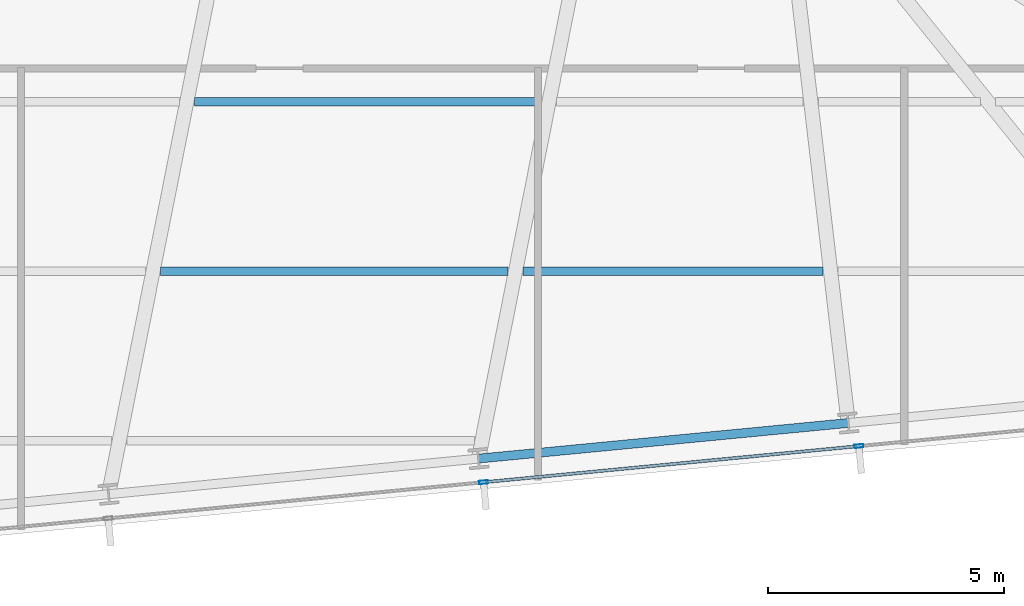
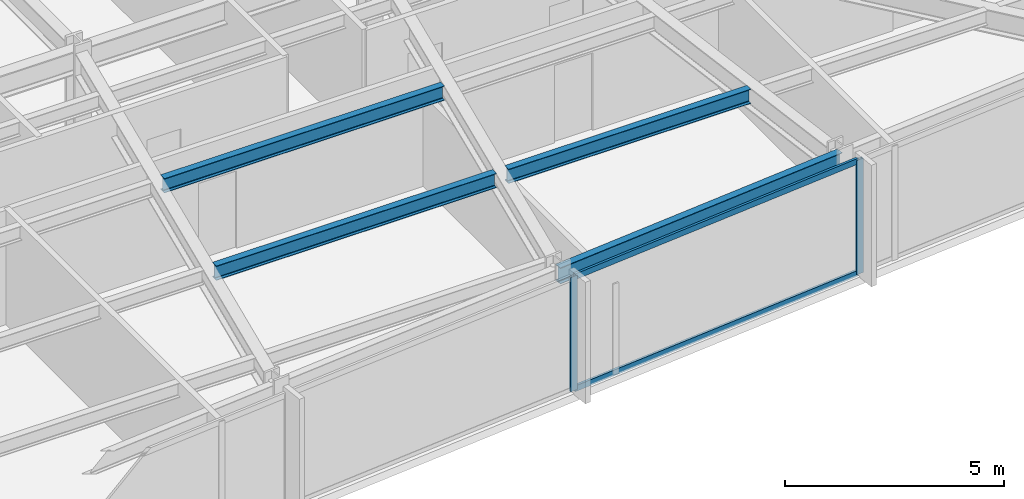
# One storey, part 10 of 33: 4 beams, 4 members, 1 element without a shape of its own.
"""IFC4 building model written with IfcOpenShell, lengths in metres."""

from ifc_helpers import new_model, si_unit, direction, frame, origin, origin_2d, place, context, subcontext, project, spatial, hollow_rectangle, i_section, extrude, material, material_profile, profile_set, type_object, element, aggregate, save


model = new_model("IFC4")

# Units and contexts
model_context = context("Model", 3, precision=1e-05, world=origin(), true_north=direction((0.0, 1.0)))
body_context = subcontext(model_context, "Body", "Model", "MODEL_VIEW")
ifc_project = project(units=[si_unit("LENGTHUNIT", "METRE"), si_unit("AREAUNIT", "SQUARE_METRE"), si_unit("VOLUMEUNIT", "CUBIC_METRE"), si_unit("PLANEANGLEUNIT", "RADIAN"), si_unit("MASSUNIT", "GRAM", prefix="KILO")], contexts=[model_context])

# Site, building, storey
site_placement = place(None, origin())
site = spatial("IfcSite", under=ifc_project, at=site_placement, CompositionType="ELEMENT")
building_placement = place(site_placement, origin())
building = spatial("IfcBuilding", under=site, at=building_placement, Name="Yelkora Congress Tower", CompositionType="ELEMENT")
storey_placement = place(building_placement, frame((0.0, 0.0, 127.10009765625)))
storey = spatial("IfcBuildingStorey", under=building, at=storey_placement, Name="L34", CompositionType="ELEMENT", Elevation=127.10009765625)

# Beams
ifc_material_1 = material(Name="Steel S355J2", Category="steel")
ifc_material_profile_1 = material_profile(ifc_material_1, i_section(OverallWidth=0.179931640625, OverallDepth=0.39990234375, WebThickness=0.008544921875, FlangeThickness=0.013427734375, FilletRadius=0.02099609375, at=origin_2d()), Name="IPE 400")
ifc_profile_set_1 = profile_set([ifc_material_profile_1], Name="Steel S355J2")
beam_type_1 = type_object("IfcBeamType", Name="BM-JOIST-IPE400", PredefinedType="JOIST", material=ifc_profile_set_1)
beam_1_placement = place(storey_placement, frame((44.436767578125, 16.144287109375, 2.97998046875), z_axis=(1.0, 0.0, 0.0), x_axis=(0.0, 1.0, 0.0)))
element("IfcBeam", 1, at=beam_1_placement, inside=storey, type_object=beam_type_1, Name="L34 Composite Floor Joist 7", PredefinedType="JOIST", context=body_context, shape_type="SweptSolid", body=[
    extrude(i_section(OverallWidth=0.179931640625, OverallDepth=0.39990234375, WebThickness=0.008544921875, FlangeThickness=0.013427734375, FilletRadius=0.02099609375, at=origin_2d()), origin(), (0.0, 0.0, 1.0), 7.373046875),
])
beam_2_placement = place(storey_placement, frame((52.1298828125, 16.144287109375, 2.97998046875), z_axis=(1.0, 0.0, 0.0), x_axis=(0.0, 1.0, 0.0)))
element("IfcBeam", 2, at=beam_2_placement, inside=storey, type_object=beam_type_1, Name="L34 Composite Floor Joist 8", PredefinedType="JOIST", context=body_context, shape_type="SweptSolid", body=[
    extrude(i_section(OverallWidth=0.179931640625, OverallDepth=0.39990234375, WebThickness=0.008544921875, FlangeThickness=0.013427734375, FilletRadius=0.02099609375, at=origin_2d()), origin(), (0.0, 0.0, 1.0), 6.3671875),
])
beam_3_placement = place(storey_placement, frame((45.153564453125, 19.744384765625, 2.97998046875), z_axis=(1.0, 0.0, 0.0), x_axis=(0.0, 1.0, 0.0)))
element("IfcBeam", 3, at=beam_3_placement, inside=storey, type_object=beam_type_1, Name="L34 Composite Floor Joist 14", PredefinedType="JOIST", context=body_context, shape_type="SweptSolid", body=[
    extrude(i_section(OverallWidth=0.179931640625, OverallDepth=0.39990234375, WebThickness=0.008544921875, FlangeThickness=0.013427734375, FilletRadius=0.02099609375, at=origin_2d()), origin(), (0.0, 0.0, 1.0), 7.367919921875),
])
ifc_material_profile_2 = material_profile(ifc_material_1, i_section(OverallWidth=0.18994140625, OverallDepth=0.449951171875, WebThickness=0.009521484375, FlangeThickness=0.0146484375, FilletRadius=0.02099609375, at=origin_2d()), Name="IPE 450")
ifc_profile_set_2 = profile_set([ifc_material_profile_2], Name="Steel S355J2")
beam_type_2 = type_object("IfcBeamType", Name="BM-SPAN-IPE450", PredefinedType="SPANDREL", material=ifc_profile_set_2)
beam_4_placement = place(storey_placement, frame((51.18359375, 12.16748046875, 2.954833984375), z_axis=(0.995395860104, 0.095849265454, 0.0), x_axis=(-0.095849265454, 0.995395860104, 0.0)))
element("IfcBeam", 4, at=beam_4_placement, inside=storey, type_object=beam_type_2, Name="L34 Perimeter Beam 7", PredefinedType="SPANDREL", context=body_context, shape_type="SweptSolid", body=[
    extrude(i_section(OverallWidth=0.18994140625, OverallDepth=0.449951171875, WebThickness=0.009521484375, FlangeThickness=0.0146484375, FilletRadius=0.02099609375, at=origin_2d()), origin(), (0.0, 0.0, 1.0), 7.885986328125),
])

# Curtain wall, members
ifc_material_2 = material(Name="Anodised aluminium and insulated glass", Category="aluminium")
curtain_wall_type = type_object("IfcCurtainWallType", Name="CW-SYS-B2", PredefinedType="NOTDEFINED", material=ifc_material_2)
curtain_wall_placement = place(storey_placement, origin())
curtain_wall = element("IfcCurtainWall", 5, at=curtain_wall_placement, inside=storey, type_object=curtain_wall_type, Name="L34 Unitised Curtain Wall 20", PredefinedType="NOTDEFINED")
ifc_material_3 = material(Name="Anodised aluminium 6063-T6", Category="aluminium")
ifc_material_profile_3 = material_profile(ifc_material_3, hollow_rectangle(XDim=0.070068359375, YDim=0.18994140625, WallThickness=0.00390625, at=origin_2d()), Name="ALU 70x190x4")
ifc_profile_set_3 = profile_set([ifc_material_profile_3], Name="Anodised aluminium 6063-T6")
member_type_1 = type_object("IfcMemberType", Name="MEM-ML-B2", PredefinedType="MULLION", material=ifc_profile_set_3)
member_1_placement = place(storey_placement, frame((59.2568359375, 12.4326171875, 0.0), z_axis=(0.0, 0.0, 1.0), x_axis=(0.095844345816, -0.995396333816, 0.0)))
member_1 = element("IfcMember", 6, at=member_1_placement, type_object=member_type_1, Name="CW-B2 mullion 3", PredefinedType="MULLION", context=body_context, shape_type="SweptSolid", body=[
    extrude(hollow_rectangle(XDim=0.070068359375, YDim=0.18994140625, WallThickness=0.00390625, at=origin_2d()), origin(), (0.0, 0.0, 1.0), 3.179931640625),
])
member_2_placement = place(storey_placement, frame((51.290771484375, 11.66552734375, 0.0), z_axis=(0.0, 0.0, 1.0), x_axis=(0.095844345816, -0.995396333816, 0.0)))
member_2 = element("IfcMember", 7, at=member_2_placement, type_object=member_type_1, Name="CW-B2 mullion 4", PredefinedType="MULLION", context=body_context, shape_type="SweptSolid", body=[
    extrude(hollow_rectangle(XDim=0.070068359375, YDim=0.18994140625, WallThickness=0.00390625, at=origin_2d()), origin(), (0.0, 0.0, 1.0), 3.179931640625),
])
ifc_material_profile_4 = material_profile(ifc_material_3, hollow_rectangle(XDim=0.06494140625, YDim=0.159912109375, WallThickness=0.00390625, at=origin_2d()), Name="ALU 65x160x4")
ifc_profile_set_4 = profile_set([ifc_material_profile_4], Name="Anodised aluminium 6063-T6")
member_type_2 = type_object("IfcMemberType", Name="MEM-TR-B2", PredefinedType="USERDEFINED", material=ifc_profile_set_4)
member_3_placement = place(storey_placement, frame((59.221923828125, 12.42919921875, 0.032470703125), z_axis=(-0.995397010735, -0.095837315383, 0.0), x_axis=(0.095837315383, -0.995397010735, 0.0)))
member_3 = element("IfcMember", 8, at=member_3_placement, type_object=member_type_2, Name="CW-B2 transom 3.1", ObjectType="TRANSOM", PredefinedType="USERDEFINED", context=body_context, shape_type="SweptSolid", body=[
    extrude(hollow_rectangle(XDim=0.06494140625, YDim=0.159912109375, WallThickness=0.00390625, at=origin_2d()), origin(), (0.0, 0.0, 1.0), 7.932861328125),
])
member_4_placement = place(storey_placement, frame((59.221923828125, 12.42919921875, 3.1474609375), z_axis=(-0.995397010735, -0.095837315383, 0.0), x_axis=(0.095837315383, -0.995397010735, 0.0)))
member_4 = element("IfcMember", 9, at=member_4_placement, type_object=member_type_2, Name="CW-B2 transom 3.2", ObjectType="TRANSOM", PredefinedType="USERDEFINED", context=body_context, shape_type="SweptSolid", body=[
    extrude(hollow_rectangle(XDim=0.06494140625, YDim=0.159912109375, WallThickness=0.00390625, at=origin_2d()), origin(), (0.0, 0.0, 1.0), 7.932861328125),
])
aggregate(curtain_wall, [member_1, member_2, member_3, member_4])

save(model, "model.ifc")
